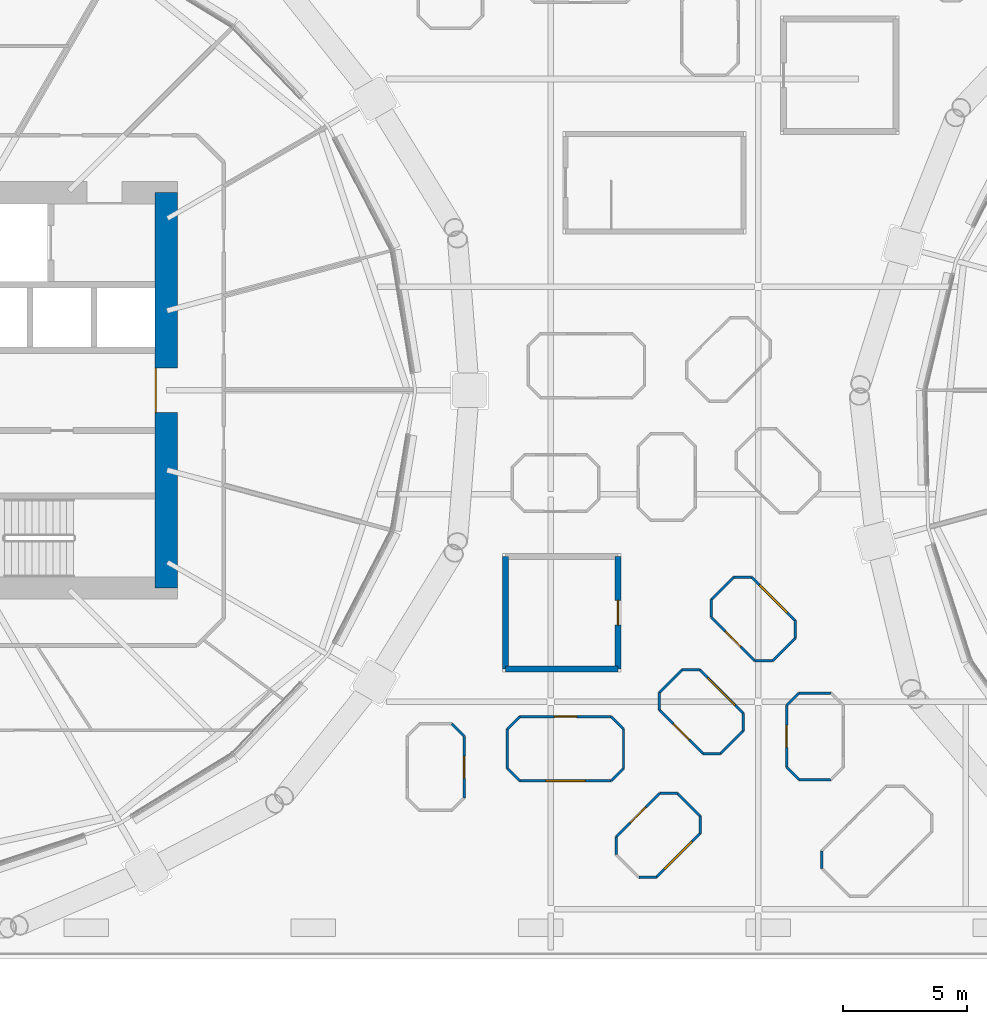
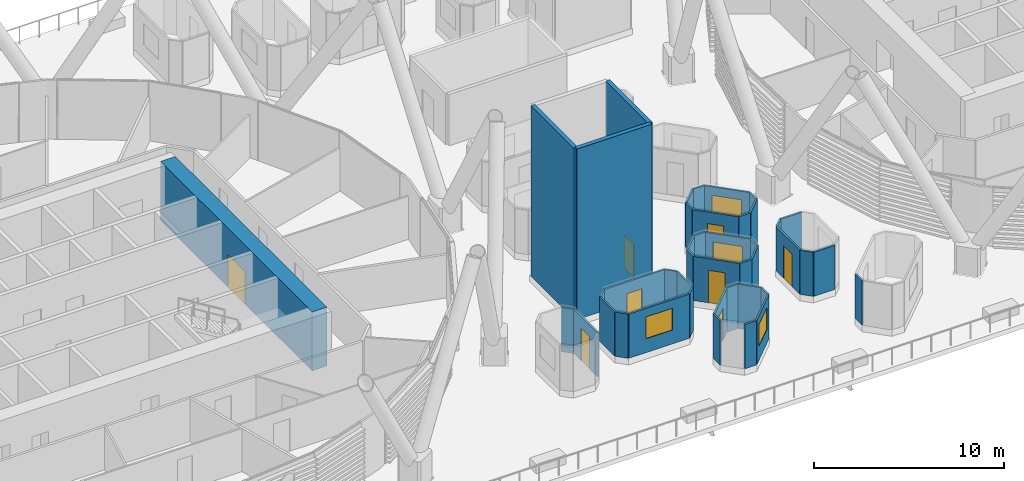
# One storey, part 26 of 47: 43 walls, 8 doors, 4 windows, 12 openings.
"""IFC4 building model written with IfcOpenShell, lengths in metres."""

from ifc_helpers import new_model, si_unit, direction, frame, frame_2d, origin, place, context, subcontext, project, spatial, rectangle, extrude, material, layer, layer_set, type_object, element, fill, save


model = new_model("IFC4")

# Units and contexts
model_context = context("Model", 3, precision=1e-05, world=origin(), true_north=direction((0.0, 1.0)))
body_context = subcontext(model_context, "Body", "Model", "MODEL_VIEW")
ifc_project = project(units=[si_unit("LENGTHUNIT", "METRE"), si_unit("AREAUNIT", "SQUARE_METRE"), si_unit("VOLUMEUNIT", "CUBIC_METRE"), si_unit("PLANEANGLEUNIT", "RADIAN"), si_unit("MASSUNIT", "GRAM", prefix="KILO")], contexts=[model_context])

# Site, building, storey
site_placement = place(None, origin())
site = spatial("IfcSite", under=ifc_project, at=site_placement, CompositionType="ELEMENT")
building_placement = place(site_placement, origin())
building = spatial("IfcBuilding", under=site, at=building_placement, Name="Rimbun Link Towers", CompositionType="ELEMENT")
storey_placement = place(building_placement, frame((0.0, 0.0, 30.0)))
storey = spatial("IfcBuildingStorey", under=building, at=storey_placement, Name="L06", CompositionType="ELEMENT", Elevation=30.0)

# Wall, opening, door
ifc_material_1 = material(Name="Terracotta-faced insulated sandwich panel", Category="masonry")
ifc_layer_1 = layer(ifc_material_1, 0.10009765625)
ifc_layer_set_1 = layer_set([ifc_layer_1], Name="CAPSULE entrance panel 100")
wall_type_1 = type_object("IfcWallType", Name="CAPSULE entrance panel 100", PredefinedType="STANDARD", material=ifc_layer_set_1)
wall_1_placement = place(storey_placement, frame((-1.75, -13.199951171875, 0.409912109375), z_axis=(0.0, 0.0, 1.0), x_axis=(-1.0, 0.0, 0.0)))
wall_1 = element("IfcWall", 1, at=wall_1_placement, inside=storey, type_object=wall_type_1, Name="CAPSULE P01 shell panel 3", PredefinedType="STANDARD", context=body_context, shape_type="SweptSolid", body=[
    extrude(rectangle(XDim=3.699951171875, YDim=0.10009765625, at=frame_2d((1.85009765625, 0.0))), origin(), (0.0, 0.0, 1.0), 2.85009765625),
])
opening_1_placement = place(wall_1_placement, frame((1.39990234375, 0.0, 0.0)))
opening_1 = element("IfcOpeningElement", 2, at=opening_1_placement, cuts=wall_1, Name="Opening CD06.01", PredefinedType="OPENING", context=body_context, shape_type="SweptSolid", body=[
    extrude(rectangle(XDim=0.89990234375, YDim=2.10009765625, at=frame_2d((0.449951171875, 1.050048828125))), frame((0.0, 0.06005859375, 0.0), z_axis=(0.0, -1.0, 0.0), x_axis=(1.0, 0.0, 0.0)), (0.0, 0.0, 1.0), 0.1201171875),
])
ifc_material_2 = material(Name="Aluminium framed insulated door leaf", Category="aluminium")
door_type_1 = type_object("IfcDoorType", Name="CAPSULE door single leaf 900X2100", OperationType="SINGLE_SWING_LEFT", PredefinedType="DOOR", material=ifc_material_2)
door_1_placement = place(opening_1_placement, origin())
door_1 = element("IfcDoor", 3, at=door_1_placement, inside=storey, type_object=door_type_1, Name="CAPSULE P01 door", OperationType="SINGLE_SWING_LEFT", OverallHeight=2.10009765625, OverallWidth=0.89990234375, PredefinedType="DOOR", context=body_context, shape_type="SweptSolid", body=[
    extrude(rectangle(XDim=0.89990234375, YDim=2.10009765625, at=frame_2d((0.449951171875, 1.050048828125))), frame((0.0, 0.02490234375, 0.0), z_axis=(0.0, -1.0, 0.0), x_axis=(1.0, 0.0, 0.0)), (0.0, 0.0, 1.0), 0.050048828125),
])
fill(opening_1, door_1)

wall_2_placement = place(storey_placement, frame((0.220703125, -16.302978515625, 0.409912109375), z_axis=(0.0, 0.0, 1.0), x_axis=(-0.707106781187, -0.707106781187, 0.0)))
wall_2 = element("IfcWall", 4, at=wall_2_placement, inside=storey, type_object=wall_type_1, Name="CAPSULE P02 shell panel 3", PredefinedType="STANDARD", context=body_context, shape_type="SweptSolid", body=[
    extrude(rectangle(XDim=2.5, YDim=0.10009765625, at=frame_2d((1.25, 0.0))), origin(), (0.0, 0.0, 1.0), 2.85009765625),
])
opening_2_placement = place(wall_2_placement, frame((0.800048828125, 0.0, 0.0)))
opening_2 = element("IfcOpeningElement", 5, at=opening_2_placement, cuts=wall_2, Name="Opening CD06.02", PredefinedType="OPENING", context=body_context, shape_type="SweptSolid", body=[
    extrude(rectangle(XDim=0.89990234375, YDim=2.10009765625, at=frame_2d((0.449951171875, 1.050048828125))), frame((0.0, 0.06005859375, 0.0), z_axis=(0.0, -1.0, 0.0), x_axis=(1.0, 0.0, 0.0)), (0.0, 0.0, 1.0), 0.1201171875),
])
door_2_placement = place(opening_2_placement, origin())
door_2 = element("IfcDoor", 6, at=door_2_placement, inside=storey, type_object=door_type_1, Name="CAPSULE P02 door", OperationType="SINGLE_SWING_RIGHT", OverallHeight=2.10009765625, OverallWidth=0.89990234375, PredefinedType="DOOR", context=body_context, shape_type="SweptSolid", body=[
    extrude(rectangle(XDim=0.89990234375, YDim=2.10009765625, at=frame_2d((0.449951171875, 1.050048828125))), frame((0.0, 0.02490234375, 0.0), z_axis=(0.0, -1.0, 0.0), x_axis=(1.0, 0.0, 0.0)), (0.0, 0.0, 1.0), 0.050048828125),
])
fill(opening_2, door_2)

wall_3_placement = place(storey_placement, frame((-7.699951171875, -16.5, 0.409912109375), z_axis=(0.0, 0.0, 1.0), x_axis=(0.0, 1.0, 0.0)))
wall_3 = element("IfcWall", 7, at=wall_3_placement, inside=storey, type_object=wall_type_1, Name="CAPSULE P03 shell panel 7", PredefinedType="STANDARD", context=body_context, shape_type="SweptSolid", body=[
    extrude(rectangle(XDim=2.5, YDim=0.10009765625, at=frame_2d((1.25, 0.0))), origin(), (0.0, 0.0, 1.0), 2.85009765625),
])
opening_3_placement = place(wall_3_placement, frame((0.800048828125, 0.0, 0.0)))
opening_3 = element("IfcOpeningElement", 8, at=opening_3_placement, cuts=wall_3, Name="Opening CD06.03", PredefinedType="OPENING", context=body_context, shape_type="SweptSolid", body=[
    extrude(rectangle(XDim=0.89990234375, YDim=2.10009765625, at=frame_2d((0.449951171875, 1.050048828125))), frame((0.0, 0.06005859375, 0.0), z_axis=(0.0, -1.0, 0.0), x_axis=(1.0, 0.0, 0.0)), (0.0, 0.0, 1.0), 0.1201171875),
])
door_3_placement = place(opening_3_placement, origin())
door_3 = element("IfcDoor", 9, at=door_3_placement, inside=storey, type_object=door_type_1, Name="CAPSULE P03 door", OperationType="SINGLE_SWING_LEFT", OverallHeight=2.10009765625, OverallWidth=0.89990234375, PredefinedType="DOOR", context=body_context, shape_type="SweptSolid", body=[
    extrude(rectangle(XDim=0.89990234375, YDim=2.10009765625, at=frame_2d((0.449951171875, 1.050048828125))), frame((0.0, 0.02490234375, 0.0), z_axis=(0.0, -1.0, 0.0), x_axis=(1.0, 0.0, 0.0)), (0.0, 0.0, 1.0), 0.050048828125),
])
fill(opening_3, door_3)

wall_4_placement = place(storey_placement, frame((0.202880859375, -12.92919921875, 0.409912109375), z_axis=(0.0, 0.0, 1.0), x_axis=(0.707106781187, -0.707106781187, 0.0)))
wall_4 = element("IfcWall", 10, at=wall_4_placement, inside=storey, type_object=wall_type_1, Name="CAPSULE P04 shell panel 3", PredefinedType="STANDARD", context=body_context, shape_type="SweptSolid", body=[
    extrude(rectangle(XDim=2.5, YDim=0.10009765625, at=frame_2d((1.25, 0.0))), origin(), (0.0, 0.0, 1.0), 2.85009765625),
])
opening_4_placement = place(wall_4_placement, frame((0.800048828125, 0.0, 0.0)))
opening_4 = element("IfcOpeningElement", 11, at=opening_4_placement, cuts=wall_4, Name="Opening CD06.04", PredefinedType="OPENING", context=body_context, shape_type="SweptSolid", body=[
    extrude(rectangle(XDim=0.89990234375, YDim=2.10009765625, at=frame_2d((0.449951171875, 1.050048828125))), frame((0.0, 0.06005859375, 0.0), z_axis=(0.0, -1.0, 0.0), x_axis=(1.0, 0.0, 0.0)), (0.0, 0.0, 1.0), 0.1201171875),
])
door_4_placement = place(opening_4_placement, origin())
door_4 = element("IfcDoor", 12, at=door_4_placement, inside=storey, type_object=door_type_1, Name="CAPSULE P04 door", OperationType="SINGLE_SWING_RIGHT", OverallHeight=2.10009765625, OverallWidth=0.89990234375, PredefinedType="DOOR", context=body_context, shape_type="SweptSolid", body=[
    extrude(rectangle(XDim=0.89990234375, YDim=2.10009765625, at=frame_2d((0.449951171875, 1.050048828125))), frame((0.0, 0.02490234375, 0.0), z_axis=(0.0, -1.0, 0.0), x_axis=(1.0, 0.0, 0.0)), (0.0, 0.0, 1.0), 0.050048828125),
])
fill(opening_4, door_4)

wall_5_placement = place(storey_placement, frame((5.35009765625, -12.75, 0.409912109375), z_axis=(0.0, 0.0, 1.0), x_axis=(0.0, -1.0, 0.0)))
wall_5 = element("IfcWall", 13, at=wall_5_placement, inside=storey, type_object=wall_type_1, Name="CAPSULE P11 shell panel 3", PredefinedType="STANDARD", context=body_context, shape_type="SweptSolid", body=[
    extrude(rectangle(XDim=2.5, YDim=0.10009765625, at=frame_2d((1.25, 0.0))), origin(), (0.0, 0.0, 1.0), 2.85009765625),
])
opening_5_placement = place(wall_5_placement, frame((0.800048828125, 0.0, 0.0)))
opening_5 = element("IfcOpeningElement", 14, at=opening_5_placement, cuts=wall_5, Name="Opening CD06.11", PredefinedType="OPENING", context=body_context, shape_type="SweptSolid", body=[
    extrude(rectangle(XDim=0.89990234375, YDim=2.10009765625, at=frame_2d((0.449951171875, 1.050048828125))), frame((0.0, 0.06005859375, 0.0), z_axis=(0.0, -1.0, 0.0), x_axis=(1.0, 0.0, 0.0)), (0.0, 0.0, 1.0), 0.1201171875),
])
door_5_placement = place(opening_5_placement, origin())
door_5 = element("IfcDoor", 15, at=door_5_placement, inside=storey, type_object=door_type_1, Name="CAPSULE P11 door", OperationType="SINGLE_SWING_LEFT", OverallHeight=2.10009765625, OverallWidth=0.89990234375, PredefinedType="DOOR", context=body_context, shape_type="SweptSolid", body=[
    extrude(rectangle(XDim=0.89990234375, YDim=2.10009765625, at=frame_2d((0.449951171875, 1.050048828125))), frame((0.0, 0.02490234375, 0.0), z_axis=(0.0, -1.0, 0.0), x_axis=(1.0, 0.0, 0.0)), (0.0, 0.0, 1.0), 0.050048828125),
])
fill(opening_5, door_5)

wall_6_placement = place(storey_placement, frame((2.302978515625, -9.17919921875, 0.409912109375), z_axis=(0.0, 0.0, 1.0), x_axis=(0.707106781187, -0.707106781187, 0.0)))
wall_6 = element("IfcWall", 16, at=wall_6_placement, inside=storey, type_object=wall_type_1, Name="CAPSULE P13 shell panel 3", PredefinedType="STANDARD", context=body_context, shape_type="SweptSolid", body=[
    extrude(rectangle(XDim=2.5, YDim=0.10009765625, at=frame_2d((1.25, 0.0))), origin(), (0.0, 0.0, 1.0), 2.85009765625),
])
opening_6_placement = place(wall_6_placement, frame((0.800048828125, 0.0, 0.0)))
opening_6 = element("IfcOpeningElement", 17, at=opening_6_placement, cuts=wall_6, Name="Opening CD06.13", PredefinedType="OPENING", context=body_context, shape_type="SweptSolid", body=[
    extrude(rectangle(XDim=0.89990234375, YDim=2.10009765625, at=frame_2d((0.449951171875, 1.050048828125))), frame((0.0, 0.06005859375, 0.0), z_axis=(0.0, -1.0, 0.0), x_axis=(1.0, 0.0, 0.0)), (0.0, 0.0, 1.0), 0.1201171875),
])
door_6_placement = place(opening_6_placement, origin())
door_6 = element("IfcDoor", 18, at=door_6_placement, inside=storey, type_object=door_type_1, Name="CAPSULE P13 door", OperationType="SINGLE_SWING_LEFT", OverallHeight=2.10009765625, OverallWidth=0.89990234375, PredefinedType="DOOR", context=body_context, shape_type="SweptSolid", body=[
    extrude(rectangle(XDim=0.89990234375, YDim=2.10009765625, at=frame_2d((0.449951171875, 1.050048828125))), frame((0.0, 0.02490234375, 0.0), z_axis=(0.0, -1.0, 0.0), x_axis=(1.0, 0.0, 0.0)), (0.0, 0.0, 1.0), 0.050048828125),
])
fill(opening_6, door_6)

# Walls
ifc_material_3 = material(Name="Terracotta-faced insulated sandwich panel", Category="masonry")
ifc_layer_2 = layer(ifc_material_3, 0.10009765625)
ifc_layer_set_2 = layer_set([ifc_layer_2], Name="CAPSULE shell panel 100")
wall_type_2 = type_object("IfcWallType", Name="CAPSULE shell panel 100", PredefinedType="STANDARD", material=ifc_layer_set_2)
wall_7_placement = place(storey_placement, frame((-1.25, -15.300048828125, 0.409912109375), z_axis=(0.0, 0.0, 1.0), x_axis=(0.0, 1.0, 0.0)))
element("IfcWall", 19, at=wall_7_placement, inside=storey, type_object=wall_type_2, Name="CAPSULE P01 shell panel 1", PredefinedType="STANDARD", context=body_context, shape_type="SweptSolid", body=[
    extrude(rectangle(XDim=1.60009765625, YDim=0.10009765625, at=frame_2d((0.800048828125, 0.0))), origin(), (0.0, 0.0, 1.0), 2.85009765625),
])
for number, where, z_axis, x_axis, name in (
    (20, (-1.25, -13.699951171875, 0.409912109375), (0.0, 0.0, 1.0), (-0.707106781187, 0.707106781187, 0.0), "CAPSULE P01 shell panel 2"),
    (21, (-5.449951171875, -13.199951171875, 0.409912109375), (0.0, 0.0, 1.0), (-0.707106781187, -0.707106781187, 0.0), "CAPSULE P01 shell panel 4"),
):
    element("IfcWall", number, at=place(storey_placement, frame(where, z_axis=z_axis, x_axis=x_axis)), inside=storey, type_object=wall_type_2, Name=name, PredefinedType="STANDARD", context=body_context, shape_type="SweptSolid", body=[
        extrude(rectangle(XDim=0.70703125, YDim=0.10009765625, at=frame_2d((0.353515625, 0.0))), origin(), (0.0, 0.0, 1.0), 2.85009765625),
    ])
wall_8_placement = place(storey_placement, frame((-5.949951171875, -13.699951171875, 0.409912109375), z_axis=(0.0, 0.0, 1.0), x_axis=(0.0, -1.0, 0.0)))
element("IfcWall", 22, at=wall_8_placement, inside=storey, type_object=wall_type_2, Name="CAPSULE P01 shell panel 5", PredefinedType="STANDARD", context=body_context, shape_type="SweptSolid", body=[
    extrude(rectangle(XDim=1.60009765625, YDim=0.10009765625, at=frame_2d((0.800048828125, 0.0))), origin(), (0.0, 0.0, 1.0), 2.85009765625),
])
wall_9_placement = place(storey_placement, frame((-5.949951171875, -15.300048828125, 0.409912109375), z_axis=(0.0, 0.0, 1.0), x_axis=(0.707106781187, -0.707106781187, 0.0)))
element("IfcWall", 23, at=wall_9_placement, inside=storey, type_object=wall_type_2, Name="CAPSULE P01 shell panel 6", PredefinedType="STANDARD", context=body_context, shape_type="SweptSolid", body=[
    extrude(rectangle(XDim=0.70703125, YDim=0.10009765625, at=frame_2d((0.353515625, 0.0))), origin(), (0.0, 0.0, 1.0), 2.85009765625),
])

# Wall, opening, window
wall_10_placement = place(storey_placement, frame((-5.449951171875, -15.800048828125, 0.409912109375), z_axis=(0.0, 0.0, 1.0), x_axis=(1.0, 0.0, 0.0)))
wall_10 = element("IfcWall", 24, at=wall_10_placement, inside=storey, type_object=wall_type_2, Name="CAPSULE P01 shell panel 7", PredefinedType="STANDARD", context=body_context, shape_type="SweptSolid", body=[
    extrude(rectangle(XDim=3.699951171875, YDim=0.10009765625, at=frame_2d((1.85009765625, 0.0))), origin(), (0.0, 0.0, 1.0), 2.85009765625),
])
opening_7_placement = place(wall_10_placement, frame((1.050048828125, 0.0, 0.89990234375)))
opening_7 = element("IfcOpeningElement", 25, at=opening_7_placement, cuts=wall_10, Name="Opening CN06.01", PredefinedType="OPENING", context=body_context, shape_type="SweptSolid", body=[
    extrude(rectangle(XDim=1.60009765625, YDim=1.39990234375, at=frame_2d((0.800048828125, 0.699951171875))), frame((0.0, 0.06005859375, 0.0), z_axis=(0.0, -1.0, 0.0), x_axis=(1.0, 0.0, 0.0)), (0.0, 0.0, 1.0), 0.1201171875),
])
ifc_material_4 = material(Name="Aluminium framed window, low-iron glass", Category="aluminium")
window_type = type_object("IfcWindowType", Name="CAPSULE window 1600X1400", PartitioningType="SINGLE_PANEL", PredefinedType="WINDOW", material=ifc_material_4)
window_1_placement = place(opening_7_placement, origin())
window_1 = element("IfcWindow", 26, at=window_1_placement, inside=storey, type_object=window_type, Name="CAPSULE P01 window", OverallHeight=1.39990234375, OverallWidth=1.60009765625, PartitioningType="SINGLE_PANEL", PredefinedType="WINDOW", context=body_context, shape_type="SweptSolid", body=[
    extrude(rectangle(XDim=1.60009765625, YDim=1.39990234375, at=frame_2d((0.800048828125, 0.699951171875))), frame((0.0, 0.030029296875, 0.0), z_axis=(0.0, -1.0, 0.0), x_axis=(1.0, 0.0, 0.0)), (0.0, 0.0, 1.0), 0.06005859375),
])
fill(opening_7, window_1)

# Walls
wall_11_placement = place(storey_placement, frame((-1.75, -15.800048828125, 0.409912109375), z_axis=(0.0, 0.0, 1.0), x_axis=(0.707106781187, 0.707106781187, 0.0)))
element("IfcWall", 27, at=wall_11_placement, inside=storey, type_object=wall_type_2, Name="CAPSULE P01 shell panel 8", PredefinedType="STANDARD", context=body_context, shape_type="SweptSolid", body=[
    extrude(rectangle(XDim=0.70703125, YDim=0.10009765625, at=frame_2d((0.353515625, 0.0))), origin(), (0.0, 0.0, 1.0), 2.85009765625),
])
wall_12_placement = place(storey_placement, frame((1.84716796875, -17.22216796875, 0.409912109375), z_axis=(0.0, 0.0, 1.0), x_axis=(-0.707200667766, 0.70701288214, 0.0)))
element("IfcWall", 28, at=wall_12_placement, inside=storey, type_object=wall_type_2, Name="CAPSULE P02 shell panel 1", PredefinedType="STANDARD", context=body_context, shape_type="SweptSolid", body=[
    extrude(rectangle(XDim=1.300048828125, YDim=0.10009765625, at=frame_2d((0.64990234375, 0.0))), origin(), (0.0, 0.0, 1.0), 2.85009765625),
])
for number, where, z_axis, x_axis, name in (
    (29, (0.927734375, -16.302978515625, 0.409912109375), (0.0, 0.0, 1.0), (-1.0, 0.0, 0.0), "CAPSULE P02 shell panel 2"),
    (30, (-1.547119140625, -18.07080078125, 0.409912109375), (0.0, 0.0, 1.0), (0.0, -1.0, 0.0), "CAPSULE P02 shell panel 4"),
):
    element("IfcWall", number, at=place(storey_placement, frame(where, z_axis=z_axis, x_axis=x_axis)), inside=storey, type_object=wall_type_2, Name=name, PredefinedType="STANDARD", context=body_context, shape_type="SweptSolid", body=[
        extrude(rectangle(XDim=0.70703125, YDim=0.10009765625, at=frame_2d((0.353515625, 0.0))), origin(), (0.0, 0.0, 1.0), 2.85009765625),
    ])
wall_13_placement = place(storey_placement, frame((-0.6279296875, -19.697021484375, 0.409912109375), z_axis=(0.0, 0.0, 1.0), x_axis=(1.0, 0.0, 0.0)))
element("IfcWall", 31, at=wall_13_placement, inside=storey, type_object=wall_type_2, Name="CAPSULE P02 shell panel 6", PredefinedType="STANDARD", context=body_context, shape_type="SweptSolid", body=[
    extrude(rectangle(XDim=0.707275390625, YDim=0.10009765625, at=frame_2d((0.353515625, 0.0))), origin(), (0.0, 0.0, 1.0), 2.85009765625),
])

# Wall, opening, window
wall_14_placement = place(storey_placement, frame((0.079345703125, -19.697021484375, 0.409912109375), z_axis=(0.0, 0.0, 1.0), x_axis=(0.707106781187, 0.707106781187, 0.0)))
wall_14 = element("IfcWall", 32, at=wall_14_placement, inside=storey, type_object=wall_type_2, Name="CAPSULE P02 shell panel 7", PredefinedType="STANDARD", context=body_context, shape_type="SweptSolid", body=[
    extrude(rectangle(XDim=2.5, YDim=0.10009765625, at=frame_2d((1.25, 0.0))), origin(), (0.0, 0.0, 1.0), 2.85009765625),
])
opening_8_placement = place(wall_14_placement, frame((0.449951171875, 0.0, 0.89990234375)))
opening_8 = element("IfcOpeningElement", 33, at=opening_8_placement, cuts=wall_14, Name="Opening CN06.02", PredefinedType="OPENING", context=body_context, shape_type="SweptSolid", body=[
    extrude(rectangle(XDim=1.60009765625, YDim=1.39990234375, at=frame_2d((0.800048828125, 0.699951171875))), frame((0.0, 0.06005859375, 0.0), z_axis=(0.0, -1.0, 0.0), x_axis=(1.0, 0.0, 0.0)), (0.0, 0.0, 1.0), 0.1201171875),
])
window_2_placement = place(opening_8_placement, origin())
window_2 = element("IfcWindow", 34, at=window_2_placement, inside=storey, type_object=window_type, Name="CAPSULE P02 window", OverallHeight=1.39990234375, OverallWidth=1.60009765625, PartitioningType="SINGLE_PANEL", PredefinedType="WINDOW", context=body_context, shape_type="SweptSolid", body=[
    extrude(rectangle(XDim=1.60009765625, YDim=1.39990234375, at=frame_2d((0.800048828125, 0.699951171875))), frame((0.0, 0.030029296875, 0.0), z_axis=(0.0, -1.0, 0.0), x_axis=(1.0, 0.0, 0.0)), (0.0, 0.0, 1.0), 0.06005859375),
])
fill(opening_8, window_2)

# Walls
for number, where, z_axis, x_axis, name in (
    (35, (1.84716796875, -17.92919921875, 0.409912109375), (0.0, 0.0, 1.0), (0.0, 1.0, 0.0), "CAPSULE P02 shell panel 8"),
    (36, (-7.699951171875, -14.0, 0.409912109375), (0.0, 0.0, 1.0), (-0.707106781187, 0.707106781187, 0.0), "CAPSULE P03 shell panel 8"),
):
    element("IfcWall", number, at=place(storey_placement, frame(where, z_axis=z_axis, x_axis=x_axis)), inside=storey, type_object=wall_type_2, Name=name, PredefinedType="STANDARD", context=body_context, shape_type="SweptSolid", body=[
        extrude(rectangle(XDim=0.70703125, YDim=0.10009765625, at=frame_2d((0.353515625, 0.0))), origin(), (0.0, 0.0, 1.0), 2.85009765625),
    ])
wall_15_placement = place(storey_placement, frame((1.1220703125, -11.302978515625, 0.409912109375), z_axis=(0.0, 0.0, 1.0), x_axis=(-0.707106781187, -0.707106781187, 0.0)))
element("IfcWall", 37, at=wall_15_placement, inside=storey, type_object=wall_type_2, Name="CAPSULE P04 shell panel 1", PredefinedType="STANDARD", context=body_context, shape_type="SweptSolid", body=[
    extrude(rectangle(XDim=1.300048828125, YDim=0.10009765625, at=frame_2d((0.64990234375, 0.0))), origin(), (0.0, 0.0, 1.0), 2.85009765625),
])
for number, where, z_axis, x_axis, name in (
    (38, (0.202880859375, -12.22216796875, 0.409912109375), (0.0, 0.0, 1.0), (0.0, -1.0, 0.0), "CAPSULE P04 shell panel 2"),
    (39, (1.970703125, -14.697021484375, 0.409912109375), (0.0, 0.0, 1.0), (1.0, 0.0, 0.0), "CAPSULE P04 shell panel 4"),
):
    element("IfcWall", number, at=place(storey_placement, frame(where, z_axis=z_axis, x_axis=x_axis)), inside=storey, type_object=wall_type_2, Name=name, PredefinedType="STANDARD", context=body_context, shape_type="SweptSolid", body=[
        extrude(rectangle(XDim=0.70703125, YDim=0.10009765625, at=frame_2d((0.353515625, 0.0))), origin(), (0.0, 0.0, 1.0), 2.85009765625),
    ])
wall_16_placement = place(storey_placement, frame((2.677734375, -14.697021484375, 0.409912109375), z_axis=(0.0, 0.0, 1.0), x_axis=(0.707200667766, 0.70701288214, 0.0)))
element("IfcWall", 40, at=wall_16_placement, inside=storey, type_object=wall_type_2, Name="CAPSULE P04 shell panel 5", PredefinedType="STANDARD", context=body_context, shape_type="SweptSolid", body=[
    extrude(rectangle(XDim=1.300048828125, YDim=0.10009765625, at=frame_2d((0.64990234375, 0.0))), origin(), (0.0, 0.0, 1.0), 2.85009765625),
])
wall_17_placement = place(storey_placement, frame((3.59716796875, -13.77783203125, 0.409912109375), z_axis=(0.0, 0.0, 1.0), x_axis=(0.0, 1.0, 0.0)))
element("IfcWall", 41, at=wall_17_placement, inside=storey, type_object=wall_type_2, Name="CAPSULE P04 shell panel 6", PredefinedType="STANDARD", context=body_context, shape_type="SweptSolid", body=[
    extrude(rectangle(XDim=0.70703125, YDim=0.10009765625, at=frame_2d((0.353515625, 0.0))), origin(), (0.0, 0.0, 1.0), 2.85009765625),
])

# Wall, opening, window
wall_18_placement = place(storey_placement, frame((3.59716796875, -13.07080078125, 0.409912109375), z_axis=(0.0, 0.0, 1.0), x_axis=(-0.707106781187, 0.707106781187, 0.0)))
wall_18 = element("IfcWall", 42, at=wall_18_placement, inside=storey, type_object=wall_type_2, Name="CAPSULE P04 shell panel 7", PredefinedType="STANDARD", context=body_context, shape_type="SweptSolid", body=[
    extrude(rectangle(XDim=2.5, YDim=0.10009765625, at=frame_2d((1.25, 0.0))), origin(), (0.0, 0.0, 1.0), 2.85009765625),
])
opening_9_placement = place(wall_18_placement, frame((0.449951171875, 0.0, 0.89990234375)))
opening_9 = element("IfcOpeningElement", 43, at=opening_9_placement, cuts=wall_18, Name="Opening CN06.04", PredefinedType="OPENING", context=body_context, shape_type="SweptSolid", body=[
    extrude(rectangle(XDim=1.60009765625, YDim=1.39990234375, at=frame_2d((0.800048828125, 0.699951171875))), frame((0.0, 0.06005859375, 0.0), z_axis=(0.0, -1.0, 0.0), x_axis=(1.0, 0.0, 0.0)), (0.0, 0.0, 1.0), 0.1201171875),
])
window_3_placement = place(opening_9_placement, origin())
window_3 = element("IfcWindow", 44, at=window_3_placement, inside=storey, type_object=window_type, Name="CAPSULE P04 window", OverallHeight=1.39990234375, OverallWidth=1.60009765625, PartitioningType="SINGLE_PANEL", PredefinedType="WINDOW", context=body_context, shape_type="SweptSolid", body=[
    extrude(rectangle(XDim=1.60009765625, YDim=1.39990234375, at=frame_2d((0.800048828125, 0.699951171875))), frame((0.0, 0.030029296875, 0.0), z_axis=(0.0, -1.0, 0.0), x_axis=(1.0, 0.0, 0.0)), (0.0, 0.0, 1.0), 0.06005859375),
])
fill(opening_9, window_3)

# Walls
wall_19_placement = place(storey_placement, frame((1.829345703125, -11.302978515625, 0.409912109375), z_axis=(0.0, 0.0, 1.0), x_axis=(-1.0, 0.0, 0.0)))
element("IfcWall", 45, at=wall_19_placement, inside=storey, type_object=wall_type_2, Name="CAPSULE P04 shell panel 8", PredefinedType="STANDARD", context=body_context, shape_type="SweptSolid", body=[
    extrude(rectangle(XDim=0.707275390625, YDim=0.10009765625, at=frame_2d((0.353515625, 0.0))), origin(), (0.0, 0.0, 1.0), 2.85009765625),
])
wall_20_placement = place(storey_placement, frame((7.14990234375, -12.25, 0.409912109375), z_axis=(0.0, 0.0, 1.0), x_axis=(-1.0, 0.0, 0.0)))
element("IfcWall", 46, at=wall_20_placement, inside=storey, type_object=wall_type_2, Name="CAPSULE P11 shell panel 1", PredefinedType="STANDARD", context=body_context, shape_type="SweptSolid", body=[
    extrude(rectangle(XDim=1.2998046875, YDim=0.10009765625, at=frame_2d((0.64990234375, 0.0))), origin(), (0.0, 0.0, 1.0), 2.85009765625),
])
for number, where, z_axis, x_axis, name in (
    (47, (5.85009765625, -12.25, 0.409912109375), (0.0, 0.0, 1.0), (-0.707106781187, -0.707106781187, 0.0), "CAPSULE P11 shell panel 2"),
    (48, (5.35009765625, -15.25, 0.409912109375), (0.0, 0.0, 1.0), (0.707106781187, -0.707106781187, 0.0), "CAPSULE P11 shell panel 4"),
):
    element("IfcWall", number, at=place(storey_placement, frame(where, z_axis=z_axis, x_axis=x_axis)), inside=storey, type_object=wall_type_2, Name=name, PredefinedType="STANDARD", context=body_context, shape_type="SweptSolid", body=[
        extrude(rectangle(XDim=0.70703125, YDim=0.10009765625, at=frame_2d((0.353515625, 0.0))), origin(), (0.0, 0.0, 1.0), 2.85009765625),
    ])
wall_21_placement = place(storey_placement, frame((5.85009765625, -15.75, 0.409912109375), z_axis=(0.0, 0.0, 1.0), x_axis=(1.0, 0.0, 0.0)))
element("IfcWall", 49, at=wall_21_placement, inside=storey, type_object=wall_type_2, Name="CAPSULE P11 shell panel 5", PredefinedType="STANDARD", context=body_context, shape_type="SweptSolid", body=[
    extrude(rectangle(XDim=1.2998046875, YDim=0.10009765625, at=frame_2d((0.64990234375, 0.0))), origin(), (0.0, 0.0, 1.0), 2.85009765625),
])
wall_22_placement = place(storey_placement, frame((6.772705078125, -18.638916015625, 0.409912109375), z_axis=(0.0, 0.0, 1.0), x_axis=(0.0, -1.0, 0.0)))
element("IfcWall", 50, at=wall_22_placement, inside=storey, type_object=wall_type_2, Name="CAPSULE P12 shell panel 4", PredefinedType="STANDARD", context=body_context, shape_type="SweptSolid", body=[
    extrude(rectangle(XDim=0.70703125, YDim=0.10009765625, at=frame_2d((0.353515625, 0.0))), origin(), (0.0, 0.0, 1.0), 2.85009765625),
])
wall_23_placement = place(storey_placement, frame((3.22216796875, -7.552978515625, 0.409912109375), z_axis=(0.0, 0.0, 1.0), x_axis=(-0.707106781187, -0.707106781187, 0.0)))
element("IfcWall", 51, at=wall_23_placement, inside=storey, type_object=wall_type_2, Name="CAPSULE P13 shell panel 1", PredefinedType="STANDARD", context=body_context, shape_type="SweptSolid", body=[
    extrude(rectangle(XDim=1.300048828125, YDim=0.10009765625, at=frame_2d((0.64990234375, 0.0))), origin(), (0.0, 0.0, 1.0), 2.85009765625),
])
for number, where, z_axis, x_axis, name in (
    (52, (2.302978515625, -8.47216796875, 0.409912109375), (0.0, 0.0, 1.0), (0.0, -1.0, 0.0), "CAPSULE P13 shell panel 2"),
    (53, (4.07080078125, -10.947021484375, 0.409912109375), (0.0, 0.0, 1.0), (1.0, 0.0, 0.0), "CAPSULE P13 shell panel 4"),
):
    element("IfcWall", number, at=place(storey_placement, frame(where, z_axis=z_axis, x_axis=x_axis)), inside=storey, type_object=wall_type_2, Name=name, PredefinedType="STANDARD", context=body_context, shape_type="SweptSolid", body=[
        extrude(rectangle(XDim=0.70703125, YDim=0.10009765625, at=frame_2d((0.353515625, 0.0))), origin(), (0.0, 0.0, 1.0), 2.85009765625),
    ])
wall_24_placement = place(storey_placement, frame((4.77783203125, -10.947021484375, 0.409912109375), z_axis=(0.0, 0.0, 1.0), x_axis=(0.707106781187, 0.707106781187, 0.0)))
element("IfcWall", 54, at=wall_24_placement, inside=storey, type_object=wall_type_2, Name="CAPSULE P13 shell panel 5", PredefinedType="STANDARD", context=body_context, shape_type="SweptSolid", body=[
    extrude(rectangle(XDim=1.300048828125, YDim=0.10009765625, at=frame_2d((0.64990234375, 0.0))), origin(), (0.0, 0.0, 1.0), 2.85009765625),
])
wall_25_placement = place(storey_placement, frame((5.697021484375, -10.02783203125, 0.409912109375), z_axis=(0.0, 0.0, 1.0), x_axis=(0.0, 1.0, 0.0)))
element("IfcWall", 55, at=wall_25_placement, inside=storey, type_object=wall_type_2, Name="CAPSULE P13 shell panel 6", PredefinedType="STANDARD", context=body_context, shape_type="SweptSolid", body=[
    extrude(rectangle(XDim=0.70703125, YDim=0.10009765625, at=frame_2d((0.353515625, 0.0))), origin(), (0.0, 0.0, 1.0), 2.85009765625),
])

# Wall, opening, window
wall_26_placement = place(storey_placement, frame((5.697021484375, -9.32080078125, 0.409912109375), z_axis=(0.0, 0.0, 1.0), x_axis=(-0.707106781187, 0.707106781187, 0.0)))
wall_26 = element("IfcWall", 56, at=wall_26_placement, inside=storey, type_object=wall_type_2, Name="CAPSULE P13 shell panel 7", PredefinedType="STANDARD", context=body_context, shape_type="SweptSolid", body=[
    extrude(rectangle(XDim=2.5, YDim=0.10009765625, at=frame_2d((1.25, 0.0))), origin(), (0.0, 0.0, 1.0), 2.85009765625),
])
opening_10_placement = place(wall_26_placement, frame((0.449951171875, 0.0, 0.89990234375)))
opening_10 = element("IfcOpeningElement", 57, at=opening_10_placement, cuts=wall_26, Name="Opening CN06.13", PredefinedType="OPENING", context=body_context, shape_type="SweptSolid", body=[
    extrude(rectangle(XDim=1.60009765625, YDim=1.39990234375, at=frame_2d((0.800048828125, 0.699951171875))), frame((0.0, 0.06005859375, 0.0), z_axis=(0.0, -1.0, 0.0), x_axis=(1.0, 0.0, 0.0)), (0.0, 0.0, 1.0), 0.1201171875),
])
window_4_placement = place(opening_10_placement, origin())
window_4 = element("IfcWindow", 58, at=window_4_placement, inside=storey, type_object=window_type, Name="CAPSULE P13 window", OverallHeight=1.39990234375, OverallWidth=1.60009765625, PartitioningType="SINGLE_PANEL", PredefinedType="WINDOW", context=body_context, shape_type="SweptSolid", body=[
    extrude(rectangle(XDim=1.60009765625, YDim=1.39990234375, at=frame_2d((0.800048828125, 0.699951171875))), frame((0.0, 0.030029296875, 0.0), z_axis=(0.0, -1.0, 0.0), x_axis=(1.0, 0.0, 0.0)), (0.0, 0.0, 1.0), 0.06005859375),
])
fill(opening_10, window_4)

# Wall
wall_27_placement = place(storey_placement, frame((3.92919921875, -7.552978515625, 0.409912109375), z_axis=(0.0, 0.0, 1.0), x_axis=(-1.0, 0.0, 0.0)))
element("IfcWall", 59, at=wall_27_placement, inside=storey, type_object=wall_type_2, Name="CAPSULE P13 shell panel 8", PredefinedType="STANDARD", context=body_context, shape_type="SweptSolid", body=[
    extrude(rectangle(XDim=0.70703125, YDim=0.10009765625, at=frame_2d((0.353515625, 0.0))), origin(), (0.0, 0.0, 1.0), 2.85009765625),
])

# Wall, opening, door
ifc_material_5 = material(Name="Concrete C60/75", Category="concrete")
ifc_layer_3 = layer(ifc_material_5, 0.89990234375)
ifc_layer_set_3 = layer_set([ifc_layer_3], Name="Core shear wall 900")
wall_type_3 = type_object("IfcWallType", Name="Core shear wall 900", PredefinedType="SHEAR", material=ifc_layer_set_3)
wall_28_placement = place(storey_placement, frame((-19.75, -8.0, 0.0), z_axis=(0.0, 0.0, 1.0), x_axis=(0.0, 1.0, 0.0)))
wall_28 = element("IfcWall", 60, at=wall_28_placement, inside=storey, type_object=wall_type_3, Name="L06 T1 core wall E", PredefinedType="SHEAR", context=body_context, shape_type="SweptSolid", body=[
    extrude(rectangle(XDim=16.0, YDim=0.89990234375, at=frame_2d((8.0, 0.0))), origin(), (0.0, 0.0, 1.0), 3.800048828125),
])
opening_11_placement = place(wall_28_placement, frame((7.10009765625, 0.0, 0.0)))
opening_11 = element("IfcOpeningElement", 61, at=opening_11_placement, cuts=wall_28, Name="Opening C1DCL01E", PredefinedType="OPENING", context=body_context, shape_type="SweptSolid", body=[
    extrude(rectangle(XDim=1.800048828125, YDim=2.10009765625, at=frame_2d((0.89990234375, 1.050048828125))), frame((0.0, 0.4599609375, 0.0), z_axis=(0.0, -1.0, 0.0), x_axis=(1.0, 0.0, 0.0)), (0.0, 0.0, 1.0), 0.919921875),
])
ifc_material_6 = material(Name="Steel fire door set", Category="steel")
door_type_2 = type_object("IfcDoorType", Name="Core lobby door double", OperationType="DOUBLE_DOOR_SINGLE_SWING", PredefinedType="DOOR", material=ifc_material_6)
door_7_placement = place(opening_11_placement, origin())
door_7 = element("IfcDoor", 62, at=door_7_placement, inside=storey, type_object=door_type_2, Name="L06 T1 lift lobby door", OperationType="DOUBLE_DOOR_SINGLE_SWING", OverallHeight=2.10009765625, OverallWidth=1.800048828125, PredefinedType="DOOR", context=body_context, shape_type="SweptSolid", body=[
    extrude(rectangle(XDim=1.800048828125, YDim=2.10009765625, at=frame_2d((0.89990234375, 1.050048828125))), frame((0.0, 0.4501953125, 0.0), z_axis=(0.0, -1.0, 0.0), x_axis=(1.0, 0.0, 0.0)), (0.0, 0.0, 1.0), 0.050048828125),
])
fill(opening_11, door_7)

# Wall
ifc_material_7 = material(Name="Concrete C40/50", Category="concrete")
ifc_layer_4 = layer(ifc_material_7, 0.25)
ifc_layer_set_4 = layer_set([ifc_layer_4], Name="Service trunk wall 250")
wall_type_4 = type_object("IfcWallType", Name="Service trunk wall 250", PredefinedType="STANDARD", material=ifc_layer_set_4)
wall_29_placement = place(storey_placement, frame((-6.02490234375, -11.27490234375, 0.409912109375), z_axis=(0.0, 0.0, 1.0), x_axis=(1.0, 0.0, 0.0)))
element("IfcWall", 63, at=wall_29_placement, inside=storey, type_object=wall_type_4, Name="Service trunk 1 wall 1", PredefinedType="STANDARD", context=body_context, shape_type="SweptSolid", body=[
    extrude(rectangle(XDim=4.5498046875, YDim=0.25, at=frame_2d((2.27490234375, 0.0))), origin(), (0.0, 0.0, 1.0), 10.989990234375),
])

# Wall, opening, door
wall_30_placement = place(storey_placement, frame((-1.47509765625, -11.27490234375, 0.409912109375), z_axis=(0.0, 0.0, 1.0), x_axis=(0.0, 1.0, 0.0)))
wall_30 = element("IfcWall", 64, at=wall_30_placement, inside=storey, type_object=wall_type_4, Name="Service trunk 1 wall 2", PredefinedType="STANDARD", context=body_context, shape_type="SweptSolid", body=[
    extrude(rectangle(XDim=4.5498046875, YDim=0.25, at=frame_2d((2.27490234375, 0.0))), origin(), (0.0, 0.0, 1.0), 10.989990234375),
])
opening_12_placement = place(wall_30_placement, frame((1.77490234375, 0.0, 0.0)))
opening_12 = element("IfcOpeningElement", 65, at=opening_12_placement, cuts=wall_30, Name="Opening TD01", PredefinedType="OPENING", context=body_context, shape_type="SweptSolid", body=[
    extrude(rectangle(XDim=1.0, YDim=2.10009765625, at=frame_2d((0.5, 1.050048828125))), frame((0.0, 0.135009765625, 0.0), z_axis=(0.0, -1.0, 0.0), x_axis=(1.0, 0.0, 0.0)), (0.0, 0.0, 1.0), 0.27001953125),
])
ifc_material_8 = material(Name="Steel framed fire door leaf", Category="steel")
door_type_3 = type_object("IfcDoorType", Name="Service trunk door single leaf 1000X2100", OperationType="SINGLE_SWING_LEFT", PredefinedType="DOOR", material=ifc_material_8)
door_8_placement = place(opening_12_placement, origin())
door_8 = element("IfcDoor", 66, at=door_8_placement, inside=storey, type_object=door_type_3, Name="Service trunk 1 door", OperationType="SINGLE_SWING_LEFT", OverallHeight=2.10009765625, OverallWidth=1.0, PredefinedType="DOOR", context=body_context, shape_type="SweptSolid", body=[
    extrude(rectangle(XDim=1.0, YDim=2.10009765625, at=frame_2d((0.5, 1.050048828125))), frame((0.0, 0.02490234375, 0.0), z_axis=(0.0, -1.0, 0.0), x_axis=(1.0, 0.0, 0.0)), (0.0, 0.0, 1.0), 0.050048828125),
])
fill(opening_12, door_8)

# Wall
wall_31_placement = place(storey_placement, frame((-6.02490234375, -6.72509765625, 0.409912109375), z_axis=(0.0, 0.0, 1.0), x_axis=(0.0, -1.0, 0.0)))
element("IfcWall", 67, at=wall_31_placement, inside=storey, type_object=wall_type_4, Name="Service trunk 1 wall 4", PredefinedType="STANDARD", context=body_context, shape_type="SweptSolid", body=[
    extrude(rectangle(XDim=4.5498046875, YDim=0.25, at=frame_2d((2.27490234375, 0.0))), origin(), (0.0, 0.0, 1.0), 10.989990234375),
])

save(model, "model.ifc")
